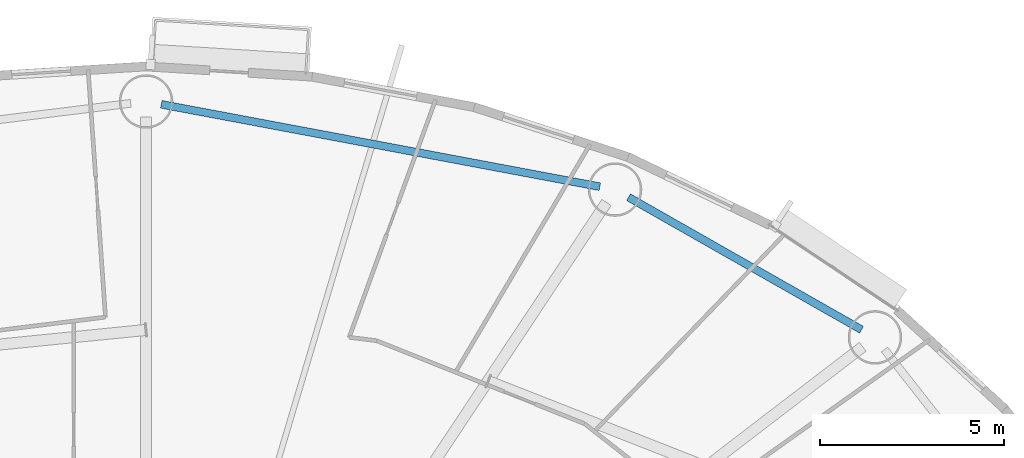
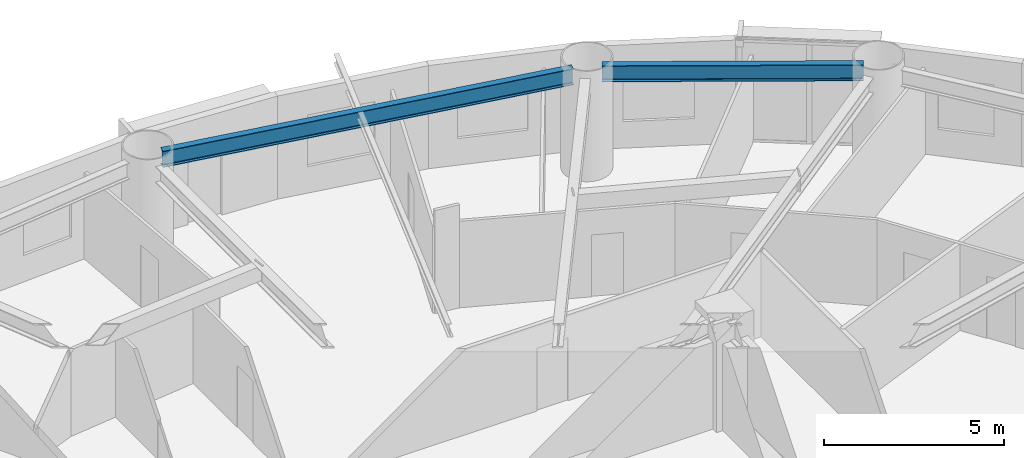
# One storey, part 5 of 22: 2 beams.
"""IFC4 building model written with IfcOpenShell, lengths in metres."""

import ifcopenshell
import ifcopenshell.guid

model = None  # the IFC model being written
_history = None  # IfcOwnerHistory: only IFC2X3 demands one
_inside = {}  # id of a spatial element -> (the spatial element, [elements in it])
_under = {}  # id of a project, library or spatial element -> (it, [spatial elements below it])
_declared = {}  # id of a project -> (the project, [libraries it declares])
_typed = {}  # id of a type object -> (the type object, [elements of that type])
_made_of = {}  # id of a material, layer set ... -> (it, [elements and type objects made of it])


def new_model(schema):
    """Start an empty IFC model of exactly this schema.

    Asked for "IFC4X3", IfcOpenShell would pick the latest addendum, in which some entities
    have other attributes; the version numbers below select the first issue.
    IFC2X3 requires an IfcOwnerHistory on every rooted entity: one is made here for all.
    """
    global model, _history
    if schema == "IFC4X3":
        model = ifcopenshell.file(schema_version=(4, 3, 0, 0))
    else:
        model = ifcopenshell.file(schema=schema)
    _inside.clear()
    _under.clear()
    _declared.clear()
    _typed.clear()
    _made_of.clear()
    _history = None
    if model.schema == "IFC2X3":
        org = make("IfcOrganization", Name="unknown")
        user = make(
            "IfcPersonAndOrganization",
            ThePerson=make("IfcPerson", FamilyName="unknown"),
            TheOrganization=org,
        )
        app = make(
            "IfcApplication",
            ApplicationDeveloper=org,
            Version="unknown",
            ApplicationFullName="unknown",
            ApplicationIdentifier="unknown",
        )
        _history = make(
            "IfcOwnerHistory",
            OwningUser=user,
            OwningApplication=app,
            ChangeAction="ADDED",
            CreationDate=0,
        )
    return model


def make(cls, **values):
    """One entity of the class cls with the attributes given. An attribute that is None is left unset."""
    return model.create_entity(
        cls, **{name: value for name, value in values.items() if value is not None}
    )


def rooted(cls, **values):
    """An entity with a GlobalId (a new one), such as an element, a storey or a relation."""
    return make(cls, GlobalId=ifcopenshell.guid.new(), OwnerHistory=_history, **values)


def si_unit(unit_type, name, prefix=None):
    """IfcSIUnit, for example si_unit("LENGTHUNIT", "METRE", prefix="MILLI")."""
    return make("IfcSIUnit", UnitType=unit_type, Prefix=prefix, Name=name)


def assignment(units):
    """IfcUnitAssignment: the units of a project."""
    return None if units is None else make("IfcUnitAssignment", Units=units)


def point(xyz):
    """IfcCartesianPoint."""
    return None if xyz is None else make("IfcCartesianPoint", Coordinates=xyz)


def direction(xyz):
    """IfcDirection."""
    return None if xyz is None else make("IfcDirection", DirectionRatios=xyz)


def frame(location, z_axis=None, x_axis=None):
    """IfcAxis2Placement3D, a coordinate frame: its origin and axes. An axis left out is left unset."""
    return make(
        "IfcAxis2Placement3D",
        Location=point(location),
        Axis=direction(z_axis),
        RefDirection=direction(x_axis),
    )


def frame_2d(location, x_axis=None):
    """IfcAxis2Placement2D, a coordinate frame in the plane: its origin and x axis."""
    return make(
        "IfcAxis2Placement2D", Location=point(location), RefDirection=direction(x_axis)
    )


def origin():
    """The frame at (0, 0, 0) with its axes left unset."""
    return frame((0.0, 0.0, 0.0))


def origin_2d():
    """The frame at (0, 0) in the plane with its x axis left unset."""
    return frame_2d((0.0, 0.0))


def place(relative_to, where):
    """IfcLocalPlacement: puts the frame where relative to a parent placement (None: the world)."""
    return make(
        "IfcLocalPlacement", PlacementRelTo=relative_to, RelativePlacement=where
    )


def context(
    kind, dimensions, precision=None, world=None, true_north=None, identifier=None
):
    """IfcGeometricRepresentationContext, for example the 3D "Model" context."""
    return make(
        "IfcGeometricRepresentationContext",
        ContextIdentifier=identifier,
        ContextType=kind,
        CoordinateSpaceDimension=dimensions,
        Precision=precision,
        WorldCoordinateSystem=world,
        TrueNorth=true_north,
    )


def subcontext(parent, identifier, kind, view, scale=None):
    """IfcGeometricRepresentationSubContext, for example "Body" below "Model"."""
    return make(
        "IfcGeometricRepresentationSubContext",
        ContextIdentifier=identifier,
        ContextType=kind,
        ParentContext=parent,
        TargetScale=scale,
        TargetView=view,
    )


def project(units=None, contexts=None):
    """IfcProject with its units and contexts."""
    return rooted(
        "IfcProject",
        Name="project",
        RepresentationContexts=contexts,
        UnitsInContext=assignment(units),
    )


def spatial(cls, under=None, at=None, **own):
    """A site, building, storey or space (cls), placed at a placement, below another one or the project."""
    s = rooted(cls, ObjectPlacement=at, **own)
    if under is not None:
        _under.setdefault(under.id(), (under, []))[1].append(s)
    return s


def profile(cls, at=None, kind="AREA", **sizes):
    """A parametric profile (cls). Its sizes go by their IFC names, for example OverallWidth=200.0."""
    return make(cls, ProfileType=kind, Position=at, **sizes)


def i_section(**sizes):
    """IfcIShapeProfileDef."""
    return profile("IfcIShapeProfileDef", **sizes)


def extrude(swept, where, along, depth):
    """IfcExtrudedAreaSolid: the profile swept, set in the frame where, extruded along a direction by depth."""
    return make(
        "IfcExtrudedAreaSolid",
        SweptArea=swept,
        Position=where,
        ExtrudedDirection=direction(along),
        Depth=depth,
    )


def shape(context_of_items, identifier, shape_type, items):
    """IfcShapeRepresentation: the items that make up one representation, for example the "Body"."""
    return make(
        "IfcShapeRepresentation",
        ContextOfItems=context_of_items,
        RepresentationIdentifier=identifier,
        RepresentationType=shape_type,
        Items=items,
    )


def material(Name=None, Category=None):
    """IfcMaterial."""
    return make("IfcMaterial", Name=Name, Category=Category)


def material_profile(
    of_material, cross_section, Name=None, Category=None, Priority=None
):
    """IfcMaterialProfile: a cross section and its material."""
    return make(
        "IfcMaterialProfile",
        Name=Name,
        Material=of_material,
        Profile=cross_section,
        Priority=Priority,
        Category=Category,
    )


def profile_set(profiles, Name=None, composite=None):
    """IfcMaterialProfileSet."""
    return make(
        "IfcMaterialProfileSet",
        Name=Name,
        MaterialProfiles=profiles,
        CompositeProfile=composite,
    )


def made_of(thing, what):
    """Note that an element or type object is made of a material, layer set ...; save() writes the relation."""
    if what is not None:
        _made_of.setdefault(what.id(), (what, []))[1].append(thing)
    return thing


def type_object(cls, material=None, **own):
    """A type object (cls), such as IfcWallType, which elements share."""
    return made_of(rooted(cls, **own), material)


def element(
    cls,
    number,
    at=None,
    inside=None,
    cuts=None,
    type_object=None,
    material=None,
    context=None,
    identifier="Body",
    shape_type=None,
    held_by="IfcProductDefinitionShape",
    body=None,
    shapes=None,
    **own,
):
    """One element of the class cls, such as IfcWall. Its Tag is "e" and its number.

    at: its placement. inside: the storey or other place that contains it. cuts: it is an
    opening in that element (IfcRelVoidsElement). A single representation is given by context,
    identifier, shape_type and body (its items); several are given by shapes. held_by: the class
    of the entity that holds the representations. save() writes the other relations.
    """
    e = rooted(cls, Tag="e%d" % number, ObjectPlacement=at, **own)
    if body is not None:
        shapes = [shape(context, identifier, shape_type, body)]
    if shapes is not None:
        e.Representation = make(held_by, Representations=shapes)
    if inside is not None:
        _inside.setdefault(inside.id(), (inside, []))[1].append(e)
    if cuts is not None:
        rooted(
            "IfcRelVoidsElement", RelatingBuildingElement=cuts, RelatedOpeningElement=e
        )
    if type_object is not None:
        _typed.setdefault(type_object.id(), (type_object, []))[1].append(e)
    return made_of(e, material)


def aggregate(whole, parts):
    """IfcRelAggregates: a whole, such as a stair, and the parts it consists of."""
    return rooted("IfcRelAggregates", RelatingObject=whole, RelatedObjects=parts)


def save(model, path):
    """Write the relations noted so far, then the file.

    IfcRelAggregates (storeys below a building ...), IfcRelContainedInSpatialStructure (elements
    in a storey), IfcRelDefinesByType, IfcRelAssociatesMaterial and IfcRelDeclares: one each for
    every whole, place, type object, material and project.
    """
    for whole, parts in _under.values():
        aggregate(whole, parts)
    for where, things in _inside.values():
        rooted(
            "IfcRelContainedInSpatialStructure",
            RelatedElements=things,
            RelatingStructure=where,
        )
    for kind, things in _typed.values():
        rooted("IfcRelDefinesByType", RelatedObjects=things, RelatingType=kind)
    for what, things in _made_of.values():
        rooted("IfcRelAssociatesMaterial", RelatedObjects=things, RelatingMaterial=what)
    for by, libraries in _declared.values():
        rooted("IfcRelDeclares", RelatingContext=by, RelatedDefinitions=libraries)
    model.write(path)


model = new_model("IFC4")

# Units and contexts
model_context = context("Model", 3, precision=1e-05, world=origin(), true_north=direction((0.0, 1.0)))
body_context = subcontext(model_context, "Body", "Model", "MODEL_VIEW")
ifc_project = project(units=[si_unit("LENGTHUNIT", "METRE"), si_unit("AREAUNIT", "SQUARE_METRE"), si_unit("VOLUMEUNIT", "CUBIC_METRE"), si_unit("PLANEANGLEUNIT", "RADIAN"), si_unit("MASSUNIT", "GRAM", prefix="KILO")], contexts=[model_context])

# Site, building, storey
site_placement = place(None, origin())
site = spatial("IfcSite", under=ifc_project, at=site_placement, CompositionType="ELEMENT")
building_placement = place(site_placement, origin())
building = spatial("IfcBuilding", under=site, at=building_placement, Name="Linh Dai School and Residence Tower", CompositionType="ELEMENT")
storey_placement = place(building_placement, frame((0.0, 0.0, 130.949951171875)))
storey = spatial("IfcBuildingStorey", under=building, at=storey_placement, Name="L31", CompositionType="ELEMENT", Elevation=130.949951171875)

# Beams
ifc_material = material(Name="Structural Steel S355JR", Category="steel")
ifc_material_profile = material_profile(ifc_material, i_section(OverallWidth=0.2099609375, OverallDepth=0.550048828125, WebThickness=0.010986328125, FlangeThickness=0.01708984375, FilletRadius=0.02392578125, at=origin_2d()), Name="IPE 550")
ifc_profile_set = profile_set([ifc_material_profile], Name="Structural Steel S355JR")
beam_type = type_object("IfcBeamType", Name="BM-RB55", PredefinedType="BEAM", material=ifc_profile_set)
beam_1_placement = place(storey_placement, frame((55.407470703125, 42.363037109375, 3.22509765625), z_axis=(-0.86927031475, 0.494337050902, 0.0), x_axis=(-0.494337050902, -0.86927031475, 0.0)))
element("IfcBeam", 1, at=beam_1_placement, inside=storey, type_object=beam_type, Name="L31 Perimeter Elliptical Ring Beam 03", PredefinedType="BEAM", context=body_context, shape_type="SweptSolid", body=[
    extrude(i_section(OverallWidth=0.2099609375, OverallDepth=0.550048828125, WebThickness=0.010986328125, FlangeThickness=0.01708984375, FilletRadius=0.02392578125, at=origin_2d()), origin(), (0.0, 0.0, 1.0), 7.270751953125),
])
beam_2_placement = place(storey_placement, frame((48.30908203125, 46.24267578125, 3.22509765625), z_axis=(-0.982807507457, 0.184633158685, 0.0), x_axis=(-0.184633158685, -0.982807507457, 0.0)))
element("IfcBeam", 2, at=beam_2_placement, inside=storey, type_object=beam_type, Name="L31 Perimeter Elliptical Ring Beam 04", PredefinedType="BEAM", context=body_context, shape_type="SweptSolid", body=[
    extrude(i_section(OverallWidth=0.2099609375, OverallDepth=0.550048828125, WebThickness=0.010986328125, FlangeThickness=0.01708984375, FilletRadius=0.02392578125, at=origin_2d()), origin(), (0.0, 0.0, 1.0), 12.104248046875),
])

save(model, "model.ifc")
